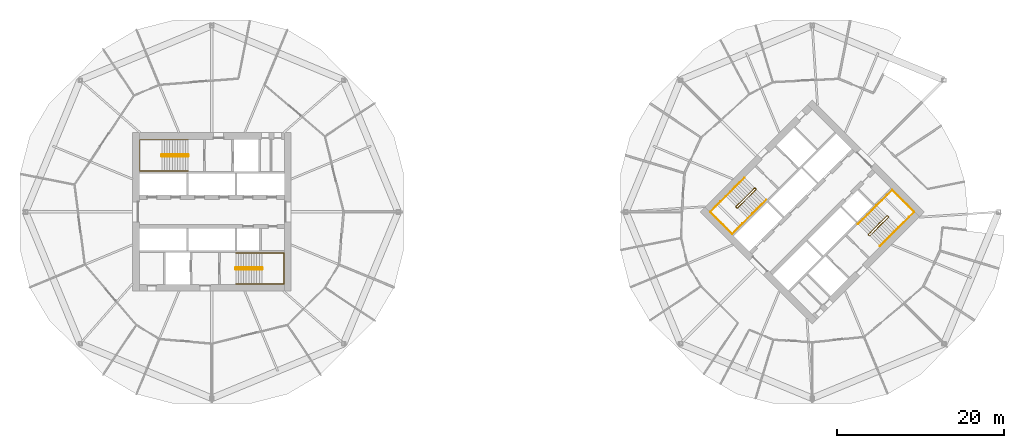
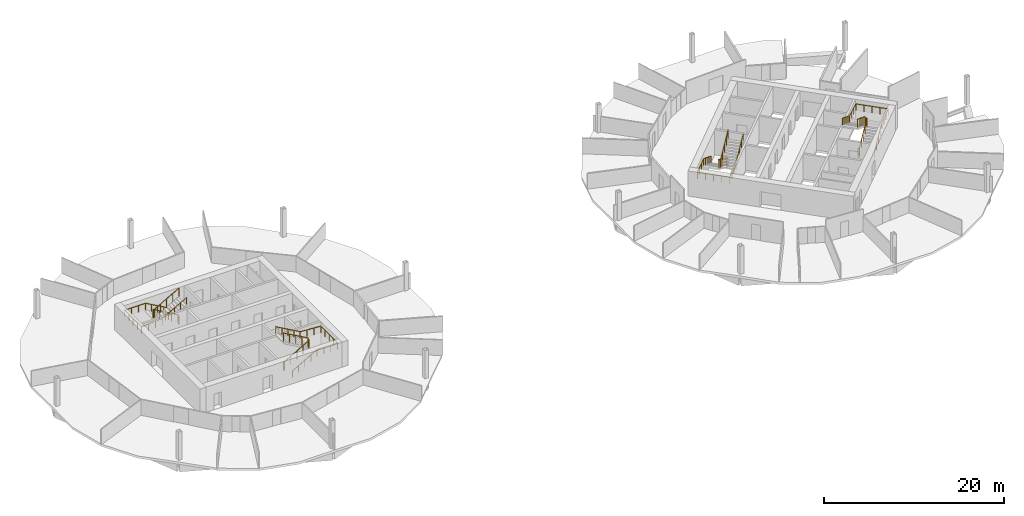
# One storey, part 10 of 10: 8 railings.
"""IFC4 building model written with IfcOpenShell, lengths in metres."""

from ifc_helpers import new_model, si_unit, direction, frame, origin, origin_2d, place, context, subcontext, project, spatial, circle, extrude, material, type_object, element, save


model = new_model("IFC4")

# Units and contexts
model_context = context("Model", 3, precision=1e-05, world=origin(), true_north=direction((0.0, 1.0)))
body_context = subcontext(model_context, "Body", "Model", "MODEL_VIEW")
ifc_project = project(units=[si_unit("LENGTHUNIT", "METRE"), si_unit("AREAUNIT", "SQUARE_METRE"), si_unit("VOLUMEUNIT", "CUBIC_METRE"), si_unit("PLANEANGLEUNIT", "RADIAN"), si_unit("MASSUNIT", "GRAM", prefix="KILO")], contexts=[model_context])

# Site, building, storey
site_placement = place(None, origin())
site = spatial("IfcSite", under=ifc_project, at=site_placement, CompositionType="ELEMENT")
building_placement = place(site_placement, origin())
building = spatial("IfcBuilding", under=site, at=building_placement, Name="Ogive Gate Towers", CompositionType="ELEMENT")
storey_placement = place(building_placement, frame((0.0, 0.0, 126.89990234375)))
storey = spatial("IfcBuildingStorey", under=building, at=storey_placement, Name="L30", CompositionType="ELEMENT", Elevation=126.89990234375)

# Railings
ifc_material = material(Name="Stainless steel", Category="steel")
railing_type_1 = type_object("IfcRailingType", Name="Stair guard 1100", PredefinedType="GUARDRAIL", material=ifc_material)
railing_1_placement = place(storey_placement, frame((-38.81494140625, 6.860107421875, 0.0)))
element("IfcRailing", 1, at=railing_1_placement, inside=storey, type_object=railing_type_1, Name="L30 ST1 stair guard 1", PredefinedType="GUARDRAIL", context=body_context, shape_type="SweptSolid", body=[
    extrude(circle(Radius=0.02392578125, at=origin_2d()), frame((0.0, 0.0, 1.076171875), z_axis=(0.0, -1.0, 0.0), x_axis=(1.0, 0.0, 0.0)), (0.0, 0.0, 1.0), 0.14501953125),
    extrude(circle(Radius=0.02392578125, at=origin_2d()), frame((0.0, -0.14501953125, 1.076171875), z_axis=(-0.186567429962, 0.726247849316, 0.661631812598), x_axis=(-0.968551454522, -0.24881334358, 0.0)), (0.0, 0.0, 1.0), 0.268310546875),
    extrude(circle(Radius=0.02392578125, at=origin_2d()), frame((-0.050048828125, 0.0498046875, 1.25341796875), z_axis=(-0.870572935281, 0.0, 0.492039393094), x_axis=(0.0, -1.0, 0.0)), (0.0, 0.0, 1.0), 3.602783203125),
    extrude(circle(Radius=0.02392578125, at=origin_2d()), frame((-3.1865234375, 0.0498046875, 3.0263671875), z_axis=(-0.707106781187, -0.707106781187, 0.0), x_axis=(0.707106781187, -0.707106781187, 0.0)), (0.0, 0.0, 1.0), 0.0703125),
    extrude(circle(Radius=0.02392578125, at=origin_2d()), frame((-3.236328125, 0.0, 3.0263671875), z_axis=(0.0, -1.0, 0.0), x_axis=(1.0, 0.0, 0.0)), (0.0, 0.0, 1.0), 0.14501953125),
    extrude(circle(Radius=0.02392578125, at=origin_2d()), frame((-3.236328125, -0.14501953125, 3.0263671875), z_axis=(0.261041864531, -0.262321481514, 0.929001929653), x_axis=(0.708833529934, 0.705375805398, 0.0)), (0.0, 0.0, 1.0), 0.190673828125),
    extrude(circle(Radius=0.02392578125, at=origin_2d()), frame((-3.1865234375, -0.195068359375, 3.20361328125), z_axis=(0.870572935281, 0.0, 0.492039393094), x_axis=(0.0, 1.0, 0.0)), (0.0, 0.0, 1.0), 3.602783203125),
    extrude(circle(Radius=0.02099609375, at=origin_2d()), origin(), (0.0, 0.0, 1.0), 1.052001953125),
    extrude(circle(Radius=0.02099609375, at=origin_2d()), frame((0.0, -0.14501953125, 0.0)), (0.0, 0.0, 1.0), 1.052001953125),
    extrude(circle(Radius=0.02099609375, at=origin_2d()), frame((-0.050048828125, 0.0498046875, 0.177490234375)), (0.0, 0.0, 1.0), 1.052001953125),
    extrude(circle(Radius=0.02099609375, at=origin_2d()), frame((-0.834228515625, 0.0498046875, 0.62060546875)), (0.0, 0.0, 1.0), 1.052001953125),
    extrude(circle(Radius=0.02099609375, at=origin_2d()), frame((-1.6181640625, 0.0498046875, 1.06396484375)), (0.0, 0.0, 1.0), 1.052001953125),
    extrude(circle(Radius=0.02099609375, at=origin_2d()), frame((-2.40234375, 0.0498046875, 1.507080078125)), (0.0, 0.0, 1.0), 1.052001953125),
    extrude(circle(Radius=0.02099609375, at=origin_2d()), frame((-3.1865234375, 0.0498046875, 1.9501953125)), (0.0, 0.0, 1.0), 1.052001953125),
    extrude(circle(Radius=0.02099609375, at=origin_2d()), frame((-3.236328125, 0.0, 1.9501953125)), (0.0, 0.0, 1.0), 1.052001953125),
    extrude(circle(Radius=0.02099609375, at=origin_2d()), frame((-3.236328125, -0.14501953125, 1.9501953125)), (0.0, 0.0, 1.0), 1.052001953125),
    extrude(circle(Radius=0.02099609375, at=origin_2d()), frame((-3.1865234375, -0.195068359375, 2.12744140625)), (0.0, 0.0, 1.0), 1.052001953125),
    extrude(circle(Radius=0.02099609375, at=origin_2d()), frame((-2.40234375, -0.195068359375, 2.570556640625)), (0.0, 0.0, 1.0), 1.052001953125),
    extrude(circle(Radius=0.02099609375, at=origin_2d()), frame((-1.6181640625, -0.195068359375, 3.013671875)), (0.0, 0.0, 1.0), 1.052001953125),
    extrude(circle(Radius=0.02099609375, at=origin_2d()), frame((-0.834228515625, -0.195068359375, 3.45703125)), (0.0, 0.0, 1.0), 1.052001953125),
    extrude(circle(Radius=0.02099609375, at=origin_2d()), frame((-0.050048828125, -0.195068359375, 3.900146484375)), (0.0, 0.0, 1.0), 1.052001953125),
])
railing_2_placement = place(storey_placement, frame((-33.18505859375, -6.860107421875, 0.0)))
element("IfcRailing", 2, at=railing_2_placement, inside=storey, type_object=railing_type_1, Name="L30 ST2 stair guard 1", PredefinedType="GUARDRAIL", context=body_context, shape_type="SweptSolid", body=[
    extrude(circle(Radius=0.02392578125, at=origin_2d()), frame((0.0, 0.0, 1.076171875), z_axis=(0.0, 1.0, 0.0), x_axis=(-1.0, 0.0, 0.0)), (0.0, 0.0, 1.0), 0.14501953125),
    extrude(circle(Radius=0.02392578125, at=origin_2d()), frame((0.0, 0.14501953125, 1.076171875), z_axis=(0.186567429962, -0.726247849316, 0.661631812598), x_axis=(0.968551454522, 0.24881334358, 0.0)), (0.0, 0.0, 1.0), 0.268310546875),
    extrude(circle(Radius=0.02392578125, at=origin_2d()), frame((0.050048828125, -0.0498046875, 1.25341796875), z_axis=(0.870572935281, 0.0, 0.492039393094), x_axis=(0.0, 1.0, 0.0)), (0.0, 0.0, 1.0), 3.602783203125),
    extrude(circle(Radius=0.02392578125, at=origin_2d()), frame((3.1865234375, -0.0498046875, 3.0263671875), z_axis=(0.707106781187, 0.707106781187, 0.0), x_axis=(-0.707106781187, 0.707106781187, 0.0)), (0.0, 0.0, 1.0), 0.0703125),
    extrude(circle(Radius=0.02392578125, at=origin_2d()), frame((3.236328125, 0.0, 3.0263671875), z_axis=(0.0, 1.0, 0.0), x_axis=(-1.0, 0.0, 0.0)), (0.0, 0.0, 1.0), 0.14501953125),
    extrude(circle(Radius=0.02392578125, at=origin_2d()), frame((3.236328125, 0.14501953125, 3.0263671875), z_axis=(-0.261041864531, 0.262321481514, 0.929001929653), x_axis=(-0.708833529934, -0.705375805398, 0.0)), (0.0, 0.0, 1.0), 0.190673828125),
    extrude(circle(Radius=0.02392578125, at=origin_2d()), frame((3.1865234375, 0.195068359375, 3.20361328125), z_axis=(-0.870572935281, 0.0, 0.492039393094), x_axis=(0.0, -1.0, 0.0)), (0.0, 0.0, 1.0), 3.602783203125),
    extrude(circle(Radius=0.02099609375, at=origin_2d()), origin(), (0.0, 0.0, 1.0), 1.052001953125),
    extrude(circle(Radius=0.02099609375, at=origin_2d()), frame((0.0, 0.14501953125, 0.0)), (0.0, 0.0, 1.0), 1.052001953125),
    extrude(circle(Radius=0.02099609375, at=origin_2d()), frame((0.050048828125, -0.0498046875, 0.177490234375)), (0.0, 0.0, 1.0), 1.052001953125),
    extrude(circle(Radius=0.02099609375, at=origin_2d()), frame((0.834228515625, -0.0498046875, 0.62060546875)), (0.0, 0.0, 1.0), 1.052001953125),
    extrude(circle(Radius=0.02099609375, at=origin_2d()), frame((1.6181640625, -0.0498046875, 1.06396484375)), (0.0, 0.0, 1.0), 1.052001953125),
    extrude(circle(Radius=0.02099609375, at=origin_2d()), frame((2.40234375, -0.0498046875, 1.507080078125)), (0.0, 0.0, 1.0), 1.052001953125),
    extrude(circle(Radius=0.02099609375, at=origin_2d()), frame((3.1865234375, -0.0498046875, 1.9501953125)), (0.0, 0.0, 1.0), 1.052001953125),
    extrude(circle(Radius=0.02099609375, at=origin_2d()), frame((3.236328125, 0.0, 1.9501953125)), (0.0, 0.0, 1.0), 1.052001953125),
    extrude(circle(Radius=0.02099609375, at=origin_2d()), frame((3.236328125, 0.14501953125, 1.9501953125)), (0.0, 0.0, 1.0), 1.052001953125),
    extrude(circle(Radius=0.02099609375, at=origin_2d()), frame((3.1865234375, 0.195068359375, 2.12744140625)), (0.0, 0.0, 1.0), 1.052001953125),
    extrude(circle(Radius=0.02099609375, at=origin_2d()), frame((2.40234375, 0.195068359375, 2.570556640625)), (0.0, 0.0, 1.0), 1.052001953125),
    extrude(circle(Radius=0.02099609375, at=origin_2d()), frame((1.6181640625, 0.195068359375, 3.013671875)), (0.0, 0.0, 1.0), 1.052001953125),
    extrude(circle(Radius=0.02099609375, at=origin_2d()), frame((0.834228515625, 0.195068359375, 3.45703125)), (0.0, 0.0, 1.0), 1.052001953125),
    extrude(circle(Radius=0.02099609375, at=origin_2d()), frame((0.050048828125, 0.195068359375, 3.900146484375)), (0.0, 0.0, 1.0), 1.052001953125),
])
railing_3_placement = place(storey_placement, frame((29.15869140625, 2.8603515625, 0.0)))
element("IfcRailing", 3, at=railing_3_placement, inside=storey, type_object=railing_type_1, Name="L30 ST1 stair guard 1", PredefinedType="GUARDRAIL", context=body_context, shape_type="SweptSolid", body=[
    extrude(circle(Radius=0.02392578125, at=origin_2d()), frame((0.0, 0.0, 1.076171875), z_axis=(0.707106781187, -0.707106781187, 0.0), x_axis=(0.707106781187, 0.707106781187, 0.0)), (0.0, 0.0, 1.0), 0.14501953125),
    extrude(circle(Radius=0.02392578125, at=origin_2d()), frame((0.1025390625, -0.1025390625, 1.076171875), z_axis=(-0.645182954318, 0.382195826253, 0.661562775443), x_axis=(-0.509669330572, -0.860370369942, 0.0)), (0.0, 0.0, 1.0), 0.268310546875),
    extrude(circle(Radius=0.02392578125, at=origin_2d()), frame((-0.070556640625, 0.0, 1.25341796875), z_axis=(-0.61558473135, -0.61558473135, 0.49204763698), x_axis=(0.707106781187, -0.707106781187, 0.0)), (0.0, 0.0, 1.0), 3.602783203125),
    extrude(circle(Radius=0.02392578125, at=origin_2d()), frame((-2.288330078125, -2.2177734375, 3.0263671875), z_axis=(0.0, -1.0, 0.0), x_axis=(1.0, 0.0, 0.0)), (0.0, 0.0, 1.0), 0.07080078125),
    extrude(circle(Radius=0.02392578125, at=origin_2d()), frame((-2.288330078125, -2.28857421875, 3.0263671875), z_axis=(0.707106781187, -0.707106781187, 0.0), x_axis=(0.707106781187, 0.707106781187, 0.0)), (0.0, 0.0, 1.0), 0.14501953125),
    extrude(circle(Radius=0.02392578125, at=origin_2d()), frame((-2.185791015625, -2.39111328125, 3.0263671875), z_axis=(0.369845645421, 0.0, 0.929093213065), x_axis=(0.0, 1.0, 0.0)), (0.0, 0.0, 1.0), 0.190673828125),
    extrude(circle(Radius=0.02392578125, at=origin_2d()), frame((-2.115234375, -2.39111328125, 3.20361328125), z_axis=(0.61558473135, 0.61558473135, 0.49204763698), x_axis=(-0.707106781187, 0.707106781187, 0.0)), (0.0, 0.0, 1.0), 3.602783203125),
    extrude(circle(Radius=0.02099609375, at=origin_2d()), origin(), (0.0, 0.0, 1.0), 1.052001953125),
    extrude(circle(Radius=0.02099609375, at=origin_2d()), frame((0.1025390625, -0.1025390625, 0.0)), (0.0, 0.0, 1.0), 1.052001953125),
    extrude(circle(Radius=0.02099609375, at=origin_2d()), frame((-0.070556640625, 0.0, 0.177490234375)), (0.0, 0.0, 1.0), 1.052001953125),
    extrude(circle(Radius=0.02099609375, at=origin_2d()), frame((-0.625, -0.554443359375, 0.62060546875)), (0.0, 0.0, 1.0), 1.052001953125),
    extrude(circle(Radius=0.02099609375, at=origin_2d()), frame((-1.179443359375, -1.10888671875, 1.06396484375)), (0.0, 0.0, 1.0), 1.052001953125),
    extrude(circle(Radius=0.02099609375, at=origin_2d()), frame((-1.73388671875, -1.663330078125, 1.507080078125)), (0.0, 0.0, 1.0), 1.052001953125),
    extrude(circle(Radius=0.02099609375, at=origin_2d()), frame((-2.288330078125, -2.2177734375, 1.9501953125)), (0.0, 0.0, 1.0), 1.052001953125),
    extrude(circle(Radius=0.02099609375, at=origin_2d()), frame((-2.288330078125, -2.28857421875, 1.9501953125)), (0.0, 0.0, 1.0), 1.052001953125),
    extrude(circle(Radius=0.02099609375, at=origin_2d()), frame((-2.185791015625, -2.39111328125, 1.9501953125)), (0.0, 0.0, 1.0), 1.052001953125),
    extrude(circle(Radius=0.02099609375, at=origin_2d()), frame((-2.115234375, -2.39111328125, 2.12744140625)), (0.0, 0.0, 1.0), 1.052001953125),
    extrude(circle(Radius=0.02099609375, at=origin_2d()), frame((-1.560791015625, -1.836669921875, 2.570556640625)), (0.0, 0.0, 1.0), 1.052001953125),
    extrude(circle(Radius=0.02099609375, at=origin_2d()), frame((-1.00634765625, -1.2822265625, 3.013671875)), (0.0, 0.0, 1.0), 1.052001953125),
    extrude(circle(Radius=0.02099609375, at=origin_2d()), frame((-0.451904296875, -0.727783203125, 3.45703125)), (0.0, 0.0, 1.0), 1.052001953125),
    extrude(circle(Radius=0.02099609375, at=origin_2d()), frame((0.1025390625, -0.17333984375, 3.900146484375)), (0.0, 0.0, 1.0), 1.052001953125),
])
railing_4_placement = place(storey_placement, frame((42.84130859375, -2.8603515625, 0.0)))
element("IfcRailing", 4, at=railing_4_placement, inside=storey, type_object=railing_type_1, Name="L30 ST2 stair guard 1", PredefinedType="GUARDRAIL", context=body_context, shape_type="SweptSolid", body=[
    extrude(circle(Radius=0.02392578125, at=origin_2d()), frame((0.0, 0.0, 1.076171875), z_axis=(-0.707106781187, 0.707106781187, 0.0), x_axis=(-0.707106781187, -0.707106781187, 0.0)), (0.0, 0.0, 1.0), 0.14501953125),
    extrude(circle(Radius=0.02392578125, at=origin_2d()), frame((-0.1025390625, 0.1025390625, 1.076171875), z_axis=(0.645182954318, -0.382195826253, 0.661562775443), x_axis=(0.509669330572, 0.860370369942, 0.0)), (0.0, 0.0, 1.0), 0.268310546875),
    extrude(circle(Radius=0.02392578125, at=origin_2d()), frame((0.070556640625, 0.0, 1.25341796875), z_axis=(0.61558473135, 0.61558473135, 0.49204763698), x_axis=(-0.707106781187, 0.707106781187, 0.0)), (0.0, 0.0, 1.0), 3.602783203125),
    extrude(circle(Radius=0.02392578125, at=origin_2d()), frame((2.288330078125, 2.2177734375, 3.0263671875), z_axis=(0.0, 1.0, 0.0), x_axis=(-1.0, 0.0, 0.0)), (0.0, 0.0, 1.0), 0.07080078125),
    extrude(circle(Radius=0.02392578125, at=origin_2d()), frame((2.288330078125, 2.28857421875, 3.0263671875), z_axis=(-0.707106781187, 0.707106781187, 0.0), x_axis=(-0.707106781187, -0.707106781187, 0.0)), (0.0, 0.0, 1.0), 0.14501953125),
    extrude(circle(Radius=0.02392578125, at=origin_2d()), frame((2.185791015625, 2.39111328125, 3.0263671875), z_axis=(-0.369845645421, 0.0, 0.929093213065), x_axis=(0.0, -1.0, 0.0)), (0.0, 0.0, 1.0), 0.190673828125),
    extrude(circle(Radius=0.02392578125, at=origin_2d()), frame((2.115234375, 2.39111328125, 3.20361328125), z_axis=(-0.61558473135, -0.61558473135, 0.49204763698), x_axis=(0.707106781187, -0.707106781187, 0.0)), (0.0, 0.0, 1.0), 3.602783203125),
    extrude(circle(Radius=0.02099609375, at=origin_2d()), origin(), (0.0, 0.0, 1.0), 1.052001953125),
    extrude(circle(Radius=0.02099609375, at=origin_2d()), frame((-0.1025390625, 0.1025390625, 0.0)), (0.0, 0.0, 1.0), 1.052001953125),
    extrude(circle(Radius=0.02099609375, at=origin_2d()), frame((0.070556640625, 0.0, 0.177490234375)), (0.0, 0.0, 1.0), 1.052001953125),
    extrude(circle(Radius=0.02099609375, at=origin_2d()), frame((0.625, 0.554443359375, 0.62060546875)), (0.0, 0.0, 1.0), 1.052001953125),
    extrude(circle(Radius=0.02099609375, at=origin_2d()), frame((1.179443359375, 1.10888671875, 1.06396484375)), (0.0, 0.0, 1.0), 1.052001953125),
    extrude(circle(Radius=0.02099609375, at=origin_2d()), frame((1.73388671875, 1.663330078125, 1.507080078125)), (0.0, 0.0, 1.0), 1.052001953125),
    extrude(circle(Radius=0.02099609375, at=origin_2d()), frame((2.288330078125, 2.2177734375, 1.9501953125)), (0.0, 0.0, 1.0), 1.052001953125),
    extrude(circle(Radius=0.02099609375, at=origin_2d()), frame((2.288330078125, 2.28857421875, 1.9501953125)), (0.0, 0.0, 1.0), 1.052001953125),
    extrude(circle(Radius=0.02099609375, at=origin_2d()), frame((2.185791015625, 2.39111328125, 1.9501953125)), (0.0, 0.0, 1.0), 1.052001953125),
    extrude(circle(Radius=0.02099609375, at=origin_2d()), frame((2.115234375, 2.39111328125, 2.12744140625)), (0.0, 0.0, 1.0), 1.052001953125),
    extrude(circle(Radius=0.02099609375, at=origin_2d()), frame((1.560791015625, 1.836669921875, 2.570556640625)), (0.0, 0.0, 1.0), 1.052001953125),
    extrude(circle(Radius=0.02099609375, at=origin_2d()), frame((1.00634765625, 1.2822265625, 3.013671875)), (0.0, 0.0, 1.0), 1.052001953125),
    extrude(circle(Radius=0.02099609375, at=origin_2d()), frame((0.451904296875, 0.727783203125, 3.45703125)), (0.0, 0.0, 1.0), 1.052001953125),
    extrude(circle(Radius=0.02099609375, at=origin_2d()), frame((-0.1025390625, 0.17333984375, 3.900146484375)), (0.0, 0.0, 1.0), 1.052001953125),
])
railing_type_2 = type_object("IfcRailingType", Name="Stair handrail 900", PredefinedType="HANDRAIL", material=ifc_material)
railing_5_placement = place(storey_placement, frame((-38.864990234375, 8.64990234375, 0.177490234375)))
element("IfcRailing", 5, at=railing_5_placement, inside=storey, type_object=railing_type_2, Name="L30 ST1 stair handrail 1", PredefinedType="HANDRAIL", context=body_context, shape_type="SweptSolid", body=[
    extrude(circle(Radius=0.02392578125, at=origin_2d()), frame((0.0, 0.0, 0.8759765625), z_axis=(-0.870572935281, 0.0, 0.492039393094), x_axis=(0.0, -1.0, 0.0)), (0.0, 0.0, 1.0), 3.602783203125),
    extrude(circle(Radius=0.02392578125, at=origin_2d()), frame((-3.136474609375, 0.0, 2.6484375), z_axis=(-1.0, 0.0, 0.0), x_axis=(0.0, -1.0, 0.0)), (0.0, 0.0, 1.0), 2.6484375),
    extrude(circle(Radius=0.02392578125, at=origin_2d()), frame((-5.784912109375, 0.0, 2.6484375), z_axis=(0.0, -1.0, 0.0), x_axis=(1.0, 0.0, 0.0)), (0.0, 0.0, 1.0), 3.724853515625),
    extrude(circle(Radius=0.02392578125, at=origin_2d()), frame((-5.784912109375, -3.724853515625, 2.6484375), z_axis=(0.997768031817, 0.0, 0.066775404784), x_axis=(0.0, 1.0, 0.0)), (0.0, 0.0, 1.0), 2.654296875),
    extrude(circle(Radius=0.02392578125, at=origin_2d()), frame((-3.136474609375, -3.724853515625, 2.82568359375), z_axis=(0.870572935281, 0.0, 0.492039393094), x_axis=(0.0, 1.0, 0.0)), (0.0, 0.0, 1.0), 3.602783203125),
    extrude(circle(Radius=0.02099609375, at=origin_2d()), origin(), (0.0, 0.0, 1.0), 0.851806640625),
    extrude(circle(Radius=0.02099609375, at=origin_2d()), frame((-0.7841796875, 0.0, 0.443115234375)), (0.0, 0.0, 1.0), 0.851806640625),
    extrude(circle(Radius=0.02099609375, at=origin_2d()), frame((-1.568359375, 0.0, 0.88623046875)), (0.0, 0.0, 1.0), 0.851806640625),
    extrude(circle(Radius=0.02099609375, at=origin_2d()), frame((-2.352294921875, 0.0, 1.32958984375)), (0.0, 0.0, 1.0), 0.851806640625),
    extrude(circle(Radius=0.02099609375, at=origin_2d()), frame((-3.136474609375, 0.0, 1.772705078125)), (0.0, 0.0, 1.0), 0.851806640625),
    extrude(circle(Radius=0.02099609375, at=origin_2d()), frame((-4.019287109375, 0.0, 1.772705078125)), (0.0, 0.0, 1.0), 0.851806640625),
    extrude(circle(Radius=0.02099609375, at=origin_2d()), frame((-4.902099609375, 0.0, 1.772705078125)), (0.0, 0.0, 1.0), 0.851806640625),
    extrude(circle(Radius=0.02099609375, at=origin_2d()), frame((-5.784912109375, 0.0, 1.772705078125)), (0.0, 0.0, 1.0), 0.851806640625),
    extrude(circle(Radius=0.02099609375, at=origin_2d()), frame((-5.784912109375, -0.93115234375, 1.772705078125)), (0.0, 0.0, 1.0), 0.851806640625),
    extrude(circle(Radius=0.02099609375, at=origin_2d()), frame((-5.784912109375, -1.8623046875, 1.772705078125)), (0.0, 0.0, 1.0), 0.851806640625),
    extrude(circle(Radius=0.02099609375, at=origin_2d()), frame((-5.784912109375, -2.793701171875, 1.772705078125)), (0.0, 0.0, 1.0), 0.851806640625),
    extrude(circle(Radius=0.02099609375, at=origin_2d()), frame((-5.784912109375, -3.724853515625, 1.772705078125)), (0.0, 0.0, 1.0), 0.851806640625),
    extrude(circle(Radius=0.02099609375, at=origin_2d()), frame((-4.902099609375, -3.724853515625, 1.831787109375)), (0.0, 0.0, 1.0), 0.851806640625),
    extrude(circle(Radius=0.02099609375, at=origin_2d()), frame((-4.019287109375, -3.724853515625, 1.890869140625)), (0.0, 0.0, 1.0), 0.851806640625),
    extrude(circle(Radius=0.02099609375, at=origin_2d()), frame((-3.136474609375, -3.724853515625, 1.949951171875)), (0.0, 0.0, 1.0), 0.851806640625),
    extrude(circle(Radius=0.02099609375, at=origin_2d()), frame((-2.352294921875, -3.724853515625, 2.39306640625)), (0.0, 0.0, 1.0), 0.851806640625),
    extrude(circle(Radius=0.02099609375, at=origin_2d()), frame((-1.568359375, -3.724853515625, 2.83642578125)), (0.0, 0.0, 1.0), 0.851806640625),
    extrude(circle(Radius=0.02099609375, at=origin_2d()), frame((-0.7841796875, -3.724853515625, 3.279541015625)), (0.0, 0.0, 1.0), 0.851806640625),
    extrude(circle(Radius=0.02099609375, at=origin_2d()), frame((0.0, -3.724853515625, 3.72265625)), (0.0, 0.0, 1.0), 0.851806640625),
])
railing_6_placement = place(storey_placement, frame((-33.135009765625, -8.64990234375, 0.177490234375)))
element("IfcRailing", 6, at=railing_6_placement, inside=storey, type_object=railing_type_2, Name="L30 ST2 stair handrail 1", PredefinedType="HANDRAIL", context=body_context, shape_type="SweptSolid", body=[
    extrude(circle(Radius=0.02392578125, at=origin_2d()), frame((0.0, 0.0, 0.8759765625), z_axis=(0.870572935281, 0.0, 0.492039393094), x_axis=(0.0, 1.0, 0.0)), (0.0, 0.0, 1.0), 3.602783203125),
    extrude(circle(Radius=0.02392578125, at=origin_2d()), frame((3.136474609375, 0.0, 2.6484375), z_axis=(1.0, 0.0, 0.0), x_axis=(0.0, 1.0, 0.0)), (0.0, 0.0, 1.0), 2.6484375),
    extrude(circle(Radius=0.02392578125, at=origin_2d()), frame((5.784912109375, 0.0, 2.6484375), z_axis=(0.0, 1.0, 0.0), x_axis=(-1.0, 0.0, 0.0)), (0.0, 0.0, 1.0), 3.724853515625),
    extrude(circle(Radius=0.02392578125, at=origin_2d()), frame((5.784912109375, 3.724853515625, 2.6484375), z_axis=(-0.997768031817, 0.0, 0.066775404784), x_axis=(0.0, -1.0, 0.0)), (0.0, 0.0, 1.0), 2.654296875),
    extrude(circle(Radius=0.02392578125, at=origin_2d()), frame((3.136474609375, 3.724853515625, 2.82568359375), z_axis=(-0.870572935281, 0.0, 0.492039393094), x_axis=(0.0, -1.0, 0.0)), (0.0, 0.0, 1.0), 3.602783203125),
    extrude(circle(Radius=0.02099609375, at=origin_2d()), origin(), (0.0, 0.0, 1.0), 0.851806640625),
    extrude(circle(Radius=0.02099609375, at=origin_2d()), frame((0.7841796875, 0.0, 0.443115234375)), (0.0, 0.0, 1.0), 0.851806640625),
    extrude(circle(Radius=0.02099609375, at=origin_2d()), frame((1.568359375, 0.0, 0.88623046875)), (0.0, 0.0, 1.0), 0.851806640625),
    extrude(circle(Radius=0.02099609375, at=origin_2d()), frame((2.352294921875, 0.0, 1.32958984375)), (0.0, 0.0, 1.0), 0.851806640625),
    extrude(circle(Radius=0.02099609375, at=origin_2d()), frame((3.136474609375, 0.0, 1.772705078125)), (0.0, 0.0, 1.0), 0.851806640625),
    extrude(circle(Radius=0.02099609375, at=origin_2d()), frame((4.019287109375, 0.0, 1.772705078125)), (0.0, 0.0, 1.0), 0.851806640625),
    extrude(circle(Radius=0.02099609375, at=origin_2d()), frame((4.902099609375, 0.0, 1.772705078125)), (0.0, 0.0, 1.0), 0.851806640625),
    extrude(circle(Radius=0.02099609375, at=origin_2d()), frame((5.784912109375, 0.0, 1.772705078125)), (0.0, 0.0, 1.0), 0.851806640625),
    extrude(circle(Radius=0.02099609375, at=origin_2d()), frame((5.784912109375, 0.93115234375, 1.772705078125)), (0.0, 0.0, 1.0), 0.851806640625),
    extrude(circle(Radius=0.02099609375, at=origin_2d()), frame((5.784912109375, 1.8623046875, 1.772705078125)), (0.0, 0.0, 1.0), 0.851806640625),
    extrude(circle(Radius=0.02099609375, at=origin_2d()), frame((5.784912109375, 2.793701171875, 1.772705078125)), (0.0, 0.0, 1.0), 0.851806640625),
    extrude(circle(Radius=0.02099609375, at=origin_2d()), frame((5.784912109375, 3.724853515625, 1.772705078125)), (0.0, 0.0, 1.0), 0.851806640625),
    extrude(circle(Radius=0.02099609375, at=origin_2d()), frame((4.902099609375, 3.724853515625, 1.831787109375)), (0.0, 0.0, 1.0), 0.851806640625),
    extrude(circle(Radius=0.02099609375, at=origin_2d()), frame((4.019287109375, 3.724853515625, 1.890869140625)), (0.0, 0.0, 1.0), 0.851806640625),
    extrude(circle(Radius=0.02099609375, at=origin_2d()), frame((3.136474609375, 3.724853515625, 1.949951171875)), (0.0, 0.0, 1.0), 0.851806640625),
    extrude(circle(Radius=0.02099609375, at=origin_2d()), frame((2.352294921875, 3.724853515625, 2.39306640625)), (0.0, 0.0, 1.0), 0.851806640625),
    extrude(circle(Radius=0.02099609375, at=origin_2d()), frame((1.568359375, 3.724853515625, 2.83642578125)), (0.0, 0.0, 1.0), 0.851806640625),
    extrude(circle(Radius=0.02099609375, at=origin_2d()), frame((0.7841796875, 3.724853515625, 3.279541015625)), (0.0, 0.0, 1.0), 0.851806640625),
    extrude(circle(Radius=0.02099609375, at=origin_2d()), frame((0.0, 3.724853515625, 3.72265625)), (0.0, 0.0, 1.0), 0.851806640625),
])
railing_7_placement = place(storey_placement, frame((27.857666015625, 4.090576171875, 0.177490234375)))
element("IfcRailing", 7, at=railing_7_placement, inside=storey, type_object=railing_type_2, Name="L30 ST1 stair handrail 1", PredefinedType="HANDRAIL", context=body_context, shape_type="SweptSolid", body=[
    extrude(circle(Radius=0.02392578125, at=origin_2d()), frame((0.0, 0.0, 0.8759765625), z_axis=(-0.61558473135, -0.61558473135, 0.49204763698), x_axis=(0.707106781187, -0.707106781187, 0.0)), (0.0, 0.0, 1.0), 3.602783203125),
    extrude(circle(Radius=0.02392578125, at=origin_2d()), frame((-2.2177734375, -2.2177734375, 2.6484375), z_axis=(-0.707106781187, -0.707106781187, 0.0), x_axis=(0.707106781187, -0.707106781187, 0.0)), (0.0, 0.0, 1.0), 2.6484375),
    extrude(circle(Radius=0.02392578125, at=origin_2d()), frame((-4.090576171875, -4.090576171875, 2.6484375), z_axis=(0.707106781187, -0.707106781187, 0.0), x_axis=(0.707106781187, 0.707106781187, 0.0)), (0.0, 0.0, 1.0), 3.72509765625),
    extrude(circle(Radius=0.02392578125, at=origin_2d()), frame((-1.45654296875, -6.724609375, 2.6484375), z_axis=(0.705482886452, 0.705574853978, 0.066768423356), x_axis=(-0.70715286629, 0.70706069308, 0.0)), (0.0, 0.0, 1.0), 2.654541015625),
    extrude(circle(Radius=0.02392578125, at=origin_2d()), frame((0.416259765625, -4.8515625, 2.82568359375), z_axis=(0.615610411033, 0.615542642384, 0.4920681632), x_axis=(-0.70706785752, 0.70714570271, 0.0)), (0.0, 0.0, 1.0), 3.6025390625),
    extrude(circle(Radius=0.02099609375, at=origin_2d()), origin(), (0.0, 0.0, 1.0), 0.851806640625),
    extrude(circle(Radius=0.02099609375, at=origin_2d()), frame((-0.554443359375, -0.554443359375, 0.443115234375)), (0.0, 0.0, 1.0), 0.851806640625),
    extrude(circle(Radius=0.02099609375, at=origin_2d()), frame((-1.10888671875, -1.10888671875, 0.88623046875)), (0.0, 0.0, 1.0), 0.851806640625),
    extrude(circle(Radius=0.02099609375, at=origin_2d()), frame((-1.663330078125, -1.663330078125, 1.32958984375)), (0.0, 0.0, 1.0), 0.851806640625),
    extrude(circle(Radius=0.02099609375, at=origin_2d()), frame((-2.2177734375, -2.2177734375, 1.772705078125)), (0.0, 0.0, 1.0), 0.851806640625),
    extrude(circle(Radius=0.02099609375, at=origin_2d()), frame((-2.842041015625, -2.842041015625, 1.772705078125)), (0.0, 0.0, 1.0), 0.851806640625),
    extrude(circle(Radius=0.02099609375, at=origin_2d()), frame((-3.46630859375, -3.46630859375, 1.772705078125)), (0.0, 0.0, 1.0), 0.851806640625),
    extrude(circle(Radius=0.02099609375, at=origin_2d()), frame((-4.090576171875, -4.090576171875, 1.772705078125)), (0.0, 0.0, 1.0), 0.851806640625),
    extrude(circle(Radius=0.02099609375, at=origin_2d()), frame((-3.43212890625, -4.7490234375, 1.772705078125)), (0.0, 0.0, 1.0), 0.851806640625),
    extrude(circle(Radius=0.02099609375, at=origin_2d()), frame((-2.7734375, -5.40771484375, 1.772705078125)), (0.0, 0.0, 1.0), 0.851806640625),
    extrude(circle(Radius=0.02099609375, at=origin_2d()), frame((-2.114990234375, -6.066162109375, 1.772705078125)), (0.0, 0.0, 1.0), 0.851806640625),
    extrude(circle(Radius=0.02099609375, at=origin_2d()), frame((-1.45654296875, -6.724609375, 1.772705078125)), (0.0, 0.0, 1.0), 0.851806640625),
    extrude(circle(Radius=0.02099609375, at=origin_2d()), frame((-0.832275390625, -6.100341796875, 1.831787109375)), (0.0, 0.0, 1.0), 0.851806640625),
    extrude(circle(Radius=0.02099609375, at=origin_2d()), frame((-0.2080078125, -5.475830078125, 1.890869140625)), (0.0, 0.0, 1.0), 0.851806640625),
    extrude(circle(Radius=0.02099609375, at=origin_2d()), frame((0.416259765625, -4.8515625, 1.949951171875)), (0.0, 0.0, 1.0), 0.851806640625),
    extrude(circle(Radius=0.02099609375, at=origin_2d()), frame((0.970703125, -4.297119140625, 2.39306640625)), (0.0, 0.0, 1.0), 0.851806640625),
    extrude(circle(Radius=0.02099609375, at=origin_2d()), frame((1.525146484375, -3.74267578125, 2.83642578125)), (0.0, 0.0, 1.0), 0.851806640625),
    extrude(circle(Radius=0.02099609375, at=origin_2d()), frame((2.07958984375, -3.1884765625, 3.279541015625)), (0.0, 0.0, 1.0), 0.851806640625),
    extrude(circle(Radius=0.02099609375, at=origin_2d()), frame((2.634033203125, -2.634033203125, 3.72265625)), (0.0, 0.0, 1.0), 0.851806640625),
])
railing_8_placement = place(storey_placement, frame((44.142333984375, -4.090576171875, 0.177490234375)))
element("IfcRailing", 8, at=railing_8_placement, inside=storey, type_object=railing_type_2, Name="L30 ST2 stair handrail 1", PredefinedType="HANDRAIL", context=body_context, shape_type="SweptSolid", body=[
    extrude(circle(Radius=0.02392578125, at=origin_2d()), frame((0.0, 0.0, 0.8759765625), z_axis=(0.61558473135, 0.61558473135, 0.49204763698), x_axis=(-0.707106781187, 0.707106781187, 0.0)), (0.0, 0.0, 1.0), 3.602783203125),
    extrude(circle(Radius=0.02392578125, at=origin_2d()), frame((2.2177734375, 2.2177734375, 2.6484375), z_axis=(0.707106781187, 0.707106781187, 0.0), x_axis=(-0.707106781187, 0.707106781187, 0.0)), (0.0, 0.0, 1.0), 2.6484375),
    extrude(circle(Radius=0.02392578125, at=origin_2d()), frame((4.090576171875, 4.090576171875, 2.6484375), z_axis=(-0.707106781187, 0.707106781187, 0.0), x_axis=(-0.707106781187, -0.707106781187, 0.0)), (0.0, 0.0, 1.0), 3.72509765625),
    extrude(circle(Radius=0.02392578125, at=origin_2d()), frame((1.45654296875, 6.724609375, 2.6484375), z_axis=(-0.705482886452, -0.705574853978, 0.066768423356), x_axis=(0.70715286629, -0.70706069308, 0.0)), (0.0, 0.0, 1.0), 2.654541015625),
    extrude(circle(Radius=0.02392578125, at=origin_2d()), frame((-0.416259765625, 4.8515625, 2.82568359375), z_axis=(-0.615610411033, -0.615542642384, 0.4920681632), x_axis=(0.70706785752, -0.70714570271, 0.0)), (0.0, 0.0, 1.0), 3.6025390625),
    extrude(circle(Radius=0.02099609375, at=origin_2d()), origin(), (0.0, 0.0, 1.0), 0.851806640625),
    extrude(circle(Radius=0.02099609375, at=origin_2d()), frame((0.554443359375, 0.554443359375, 0.443115234375)), (0.0, 0.0, 1.0), 0.851806640625),
    extrude(circle(Radius=0.02099609375, at=origin_2d()), frame((1.10888671875, 1.10888671875, 0.88623046875)), (0.0, 0.0, 1.0), 0.851806640625),
    extrude(circle(Radius=0.02099609375, at=origin_2d()), frame((1.663330078125, 1.663330078125, 1.32958984375)), (0.0, 0.0, 1.0), 0.851806640625),
    extrude(circle(Radius=0.02099609375, at=origin_2d()), frame((2.2177734375, 2.2177734375, 1.772705078125)), (0.0, 0.0, 1.0), 0.851806640625),
    extrude(circle(Radius=0.02099609375, at=origin_2d()), frame((2.842041015625, 2.842041015625, 1.772705078125)), (0.0, 0.0, 1.0), 0.851806640625),
    extrude(circle(Radius=0.02099609375, at=origin_2d()), frame((3.46630859375, 3.46630859375, 1.772705078125)), (0.0, 0.0, 1.0), 0.851806640625),
    extrude(circle(Radius=0.02099609375, at=origin_2d()), frame((4.090576171875, 4.090576171875, 1.772705078125)), (0.0, 0.0, 1.0), 0.851806640625),
    extrude(circle(Radius=0.02099609375, at=origin_2d()), frame((3.43212890625, 4.7490234375, 1.772705078125)), (0.0, 0.0, 1.0), 0.851806640625),
    extrude(circle(Radius=0.02099609375, at=origin_2d()), frame((2.7734375, 5.40771484375, 1.772705078125)), (0.0, 0.0, 1.0), 0.851806640625),
    extrude(circle(Radius=0.02099609375, at=origin_2d()), frame((2.114990234375, 6.066162109375, 1.772705078125)), (0.0, 0.0, 1.0), 0.851806640625),
    extrude(circle(Radius=0.02099609375, at=origin_2d()), frame((1.45654296875, 6.724609375, 1.772705078125)), (0.0, 0.0, 1.0), 0.851806640625),
    extrude(circle(Radius=0.02099609375, at=origin_2d()), frame((0.832275390625, 6.100341796875, 1.831787109375)), (0.0, 0.0, 1.0), 0.851806640625),
    extrude(circle(Radius=0.02099609375, at=origin_2d()), frame((0.2080078125, 5.475830078125, 1.890869140625)), (0.0, 0.0, 1.0), 0.851806640625),
    extrude(circle(Radius=0.02099609375, at=origin_2d()), frame((-0.416259765625, 4.8515625, 1.949951171875)), (0.0, 0.0, 1.0), 0.851806640625),
    extrude(circle(Radius=0.02099609375, at=origin_2d()), frame((-0.970703125, 4.297119140625, 2.39306640625)), (0.0, 0.0, 1.0), 0.851806640625),
    extrude(circle(Radius=0.02099609375, at=origin_2d()), frame((-1.525146484375, 3.74267578125, 2.83642578125)), (0.0, 0.0, 1.0), 0.851806640625),
    extrude(circle(Radius=0.02099609375, at=origin_2d()), frame((-2.07958984375, 3.1884765625, 3.279541015625)), (0.0, 0.0, 1.0), 0.851806640625),
    extrude(circle(Radius=0.02099609375, at=origin_2d()), frame((-2.634033203125, 2.634033203125, 3.72265625)), (0.0, 0.0, 1.0), 0.851806640625),
])

save(model, "model.ifc")
